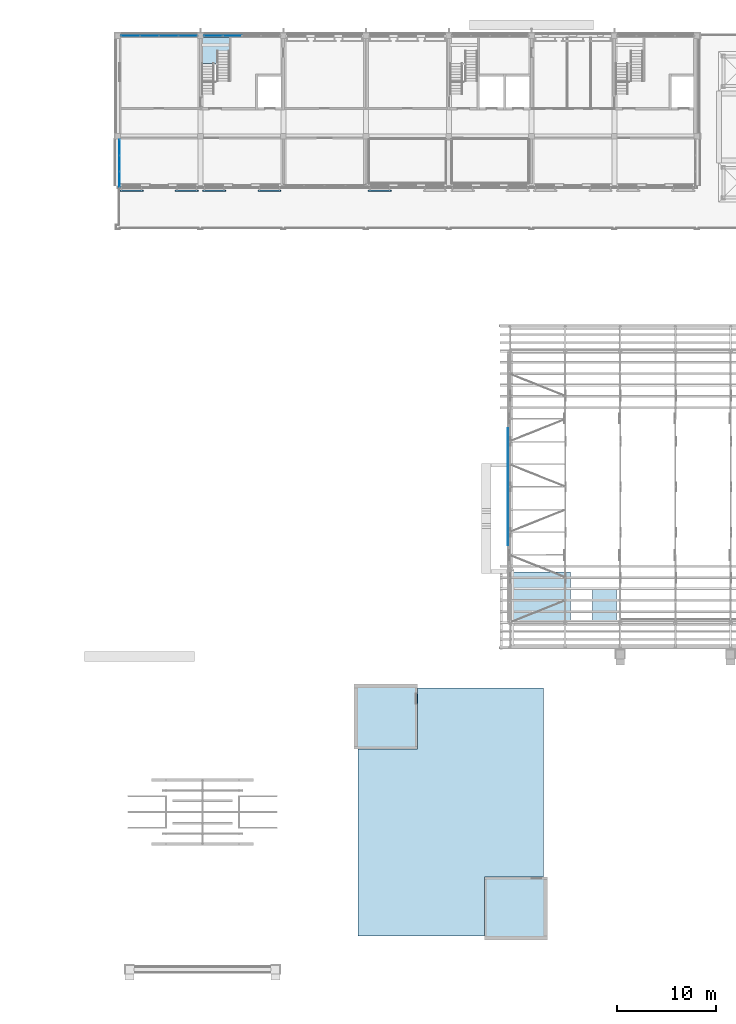
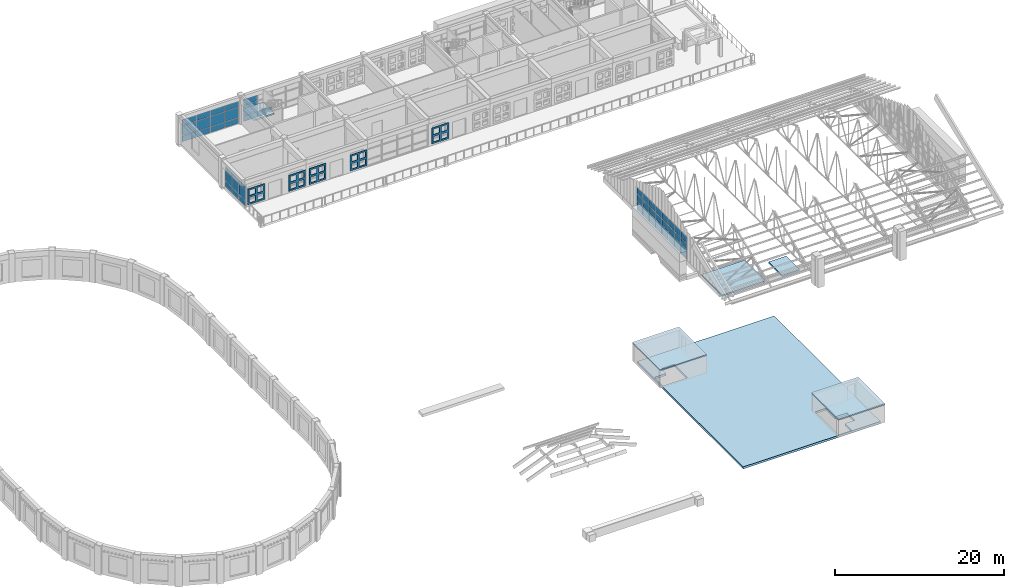
# One storey, part 35 of 71: 54 plates, 6 slabs, 5 elements without a shape of their own.
"""IFC4 building model written with IfcOpenShell, lengths in metres."""

import ifcopenshell
import ifcopenshell.guid

model = None  # the IFC model being written
_history = None  # IfcOwnerHistory: only IFC2X3 demands one
_inside = {}  # id of a spatial element -> (the spatial element, [elements in it])
_under = {}  # id of a project, library or spatial element -> (it, [spatial elements below it])
_declared = {}  # id of a project -> (the project, [libraries it declares])
_typed = {}  # id of a type object -> (the type object, [elements of that type])
_made_of = {}  # id of a material, layer set ... -> (it, [elements and type objects made of it])


def new_model(schema):
    """Start an empty IFC model of exactly this schema.

    Asked for "IFC4X3", IfcOpenShell would pick the latest addendum, in which some entities
    have other attributes; the version numbers below select the first issue.
    IFC2X3 requires an IfcOwnerHistory on every rooted entity: one is made here for all.
    """
    global model, _history
    if schema == "IFC4X3":
        model = ifcopenshell.file(schema_version=(4, 3, 0, 0))
    else:
        model = ifcopenshell.file(schema=schema)
    _inside.clear()
    _under.clear()
    _declared.clear()
    _typed.clear()
    _made_of.clear()
    _history = None
    if model.schema == "IFC2X3":
        org = make("IfcOrganization", Name="unknown")
        user = make(
            "IfcPersonAndOrganization",
            ThePerson=make("IfcPerson", FamilyName="unknown"),
            TheOrganization=org,
        )
        app = make(
            "IfcApplication",
            ApplicationDeveloper=org,
            Version="unknown",
            ApplicationFullName="unknown",
            ApplicationIdentifier="unknown",
        )
        _history = make(
            "IfcOwnerHistory",
            OwningUser=user,
            OwningApplication=app,
            ChangeAction="ADDED",
            CreationDate=0,
        )
    return model


def make(cls, **values):
    """One entity of the class cls with the attributes given. An attribute that is None is left unset."""
    return model.create_entity(
        cls, **{name: value for name, value in values.items() if value is not None}
    )


def rooted(cls, **values):
    """An entity with a GlobalId (a new one), such as an element, a storey or a relation."""
    return make(cls, GlobalId=ifcopenshell.guid.new(), OwnerHistory=_history, **values)


def si_unit(unit_type, name, prefix=None):
    """IfcSIUnit, for example si_unit("LENGTHUNIT", "METRE", prefix="MILLI")."""
    return make("IfcSIUnit", UnitType=unit_type, Prefix=prefix, Name=name)


def assignment(units):
    """IfcUnitAssignment: the units of a project."""
    return None if units is None else make("IfcUnitAssignment", Units=units)


def point(xyz):
    """IfcCartesianPoint."""
    return None if xyz is None else make("IfcCartesianPoint", Coordinates=xyz)


def direction(xyz):
    """IfcDirection."""
    return None if xyz is None else make("IfcDirection", DirectionRatios=xyz)


def frame(location, z_axis=None, x_axis=None):
    """IfcAxis2Placement3D, a coordinate frame: its origin and axes. An axis left out is left unset."""
    return make(
        "IfcAxis2Placement3D",
        Location=point(location),
        Axis=direction(z_axis),
        RefDirection=direction(x_axis),
    )


def frame_2d(location, x_axis=None):
    """IfcAxis2Placement2D, a coordinate frame in the plane: its origin and x axis."""
    return make(
        "IfcAxis2Placement2D", Location=point(location), RefDirection=direction(x_axis)
    )


def origin():
    """The frame at (0, 0, 0) with its axes left unset."""
    return frame((0.0, 0.0, 0.0))


def origin_2d():
    """The frame at (0, 0) in the plane with its x axis left unset."""
    return frame_2d((0.0, 0.0))


def place(relative_to, where):
    """IfcLocalPlacement: puts the frame where relative to a parent placement (None: the world)."""
    return make(
        "IfcLocalPlacement", PlacementRelTo=relative_to, RelativePlacement=where
    )


def context(
    kind, dimensions, precision=None, world=None, true_north=None, identifier=None
):
    """IfcGeometricRepresentationContext, for example the 3D "Model" context."""
    return make(
        "IfcGeometricRepresentationContext",
        ContextIdentifier=identifier,
        ContextType=kind,
        CoordinateSpaceDimension=dimensions,
        Precision=precision,
        WorldCoordinateSystem=world,
        TrueNorth=true_north,
    )


def subcontext(parent, identifier, kind, view, scale=None):
    """IfcGeometricRepresentationSubContext, for example "Body" below "Model"."""
    return make(
        "IfcGeometricRepresentationSubContext",
        ContextIdentifier=identifier,
        ContextType=kind,
        ParentContext=parent,
        TargetScale=scale,
        TargetView=view,
    )


def project(units=None, contexts=None):
    """IfcProject with its units and contexts."""
    return rooted(
        "IfcProject",
        Name="project",
        RepresentationContexts=contexts,
        UnitsInContext=assignment(units),
    )


def spatial(cls, under=None, at=None, **own):
    """A site, building, storey or space (cls), placed at a placement, below another one or the project."""
    s = rooted(cls, ObjectPlacement=at, **own)
    if under is not None:
        _under.setdefault(under.id(), (under, []))[1].append(s)
    return s


def polyline(points):
    """IfcPolyline through the points."""
    return make("IfcPolyline", Points=[point(p) for p in points])


def profile(cls, at=None, kind="AREA", **sizes):
    """A parametric profile (cls). Its sizes go by their IFC names, for example OverallWidth=200.0."""
    return make(cls, ProfileType=kind, Position=at, **sizes)


def rectangle(**sizes):
    """IfcRectangleProfileDef."""
    return profile("IfcRectangleProfileDef", **sizes)


def outline(outer, holes=None, kind="AREA"):
    """IfcArbitraryClosedProfileDef: a profile drawn as a closed curve; with holes, ...WithVoids."""
    if holes is None:
        return make("IfcArbitraryClosedProfileDef", ProfileType=kind, OuterCurve=outer)
    return make(
        "IfcArbitraryProfileDefWithVoids",
        ProfileType=kind,
        OuterCurve=outer,
        InnerCurves=holes,
    )


def extrude(swept, where, along, depth):
    """IfcExtrudedAreaSolid: the profile swept, set in the frame where, extruded along a direction by depth."""
    return make(
        "IfcExtrudedAreaSolid",
        SweptArea=swept,
        Position=where,
        ExtrudedDirection=direction(along),
        Depth=depth,
    )


def shape(context_of_items, identifier, shape_type, items):
    """IfcShapeRepresentation: the items that make up one representation, for example the "Body"."""
    return make(
        "IfcShapeRepresentation",
        ContextOfItems=context_of_items,
        RepresentationIdentifier=identifier,
        RepresentationType=shape_type,
        Items=items,
    )


def material(Name=None, Category=None):
    """IfcMaterial."""
    return make("IfcMaterial", Name=Name, Category=Category)


def layer(
    of_material, thickness, ventilated=None, Name=None, Category=None, Priority=None
):
    """IfcMaterialLayer: one layer of a wall or slab, of a material (None: an air gap)."""
    return make(
        "IfcMaterialLayer",
        Material=of_material,
        LayerThickness=thickness,
        IsVentilated=ventilated,
        Name=Name,
        Category=Category,
        Priority=Priority,
    )


def layer_set(layers, Name=None):
    """IfcMaterialLayerSet."""
    return make("IfcMaterialLayerSet", MaterialLayers=layers, LayerSetName=Name)


def material_profile(
    of_material, cross_section, Name=None, Category=None, Priority=None
):
    """IfcMaterialProfile: a cross section and its material."""
    return make(
        "IfcMaterialProfile",
        Name=Name,
        Material=of_material,
        Profile=cross_section,
        Priority=Priority,
        Category=Category,
    )


def profile_set(profiles, Name=None, composite=None):
    """IfcMaterialProfileSet."""
    return make(
        "IfcMaterialProfileSet",
        Name=Name,
        MaterialProfiles=profiles,
        CompositeProfile=composite,
    )


def made_of(thing, what):
    """Note that an element or type object is made of a material, layer set ...; save() writes the relation."""
    if what is not None:
        _made_of.setdefault(what.id(), (what, []))[1].append(thing)
    return thing


def type_object(cls, material=None, **own):
    """A type object (cls), such as IfcWallType, which elements share."""
    return made_of(rooted(cls, **own), material)


def element(
    cls,
    number,
    at=None,
    inside=None,
    cuts=None,
    type_object=None,
    material=None,
    context=None,
    identifier="Body",
    shape_type=None,
    held_by="IfcProductDefinitionShape",
    body=None,
    shapes=None,
    **own,
):
    """One element of the class cls, such as IfcWall. Its Tag is "e" and its number.

    at: its placement. inside: the storey or other place that contains it. cuts: it is an
    opening in that element (IfcRelVoidsElement). A single representation is given by context,
    identifier, shape_type and body (its items); several are given by shapes. held_by: the class
    of the entity that holds the representations. save() writes the other relations.
    """
    e = rooted(cls, Tag="e%d" % number, ObjectPlacement=at, **own)
    if body is not None:
        shapes = [shape(context, identifier, shape_type, body)]
    if shapes is not None:
        e.Representation = make(held_by, Representations=shapes)
    if inside is not None:
        _inside.setdefault(inside.id(), (inside, []))[1].append(e)
    if cuts is not None:
        rooted(
            "IfcRelVoidsElement", RelatingBuildingElement=cuts, RelatedOpeningElement=e
        )
    if type_object is not None:
        _typed.setdefault(type_object.id(), (type_object, []))[1].append(e)
    return made_of(e, material)


def aggregate(whole, parts):
    """IfcRelAggregates: a whole, such as a stair, and the parts it consists of."""
    return rooted("IfcRelAggregates", RelatingObject=whole, RelatedObjects=parts)


def save(model, path):
    """Write the relations noted so far, then the file.

    IfcRelAggregates (storeys below a building ...), IfcRelContainedInSpatialStructure (elements
    in a storey), IfcRelDefinesByType, IfcRelAssociatesMaterial and IfcRelDeclares: one each for
    every whole, place, type object, material and project.
    """
    for whole, parts in _under.values():
        aggregate(whole, parts)
    for where, things in _inside.values():
        rooted(
            "IfcRelContainedInSpatialStructure",
            RelatedElements=things,
            RelatingStructure=where,
        )
    for kind, things in _typed.values():
        rooted("IfcRelDefinesByType", RelatedObjects=things, RelatingType=kind)
    for what, things in _made_of.values():
        rooted("IfcRelAssociatesMaterial", RelatedObjects=things, RelatingMaterial=what)
    for by, libraries in _declared.values():
        rooted("IfcRelDeclares", RelatingContext=by, RelatedDefinitions=libraries)
    model.write(path)


model = new_model("IFC4")

# Units and contexts
model_context = context("Model", 3, precision=1e-05, world=origin(), true_north=direction((0.0, 1.0)))
body_context = subcontext(model_context, "Body", "Model", "MODEL_VIEW")
ifc_project = project(units=[si_unit("LENGTHUNIT", "METRE"), si_unit("AREAUNIT", "SQUARE_METRE"), si_unit("VOLUMEUNIT", "CUBIC_METRE"), si_unit("PLANEANGLEUNIT", "RADIAN"), si_unit("MASSUNIT", "GRAM", prefix="KILO")], contexts=[model_context])

# Site, building, storey
site_placement = place(None, origin())
site = spatial("IfcSite", under=ifc_project, at=site_placement, CompositionType="ELEMENT")
building_placement = place(site_placement, origin())
building = spatial("IfcBuilding", under=site, at=building_placement, Name="Wasatch Bagh Community Centre", CompositionType="ELEMENT")
storey_placement = place(building_placement, frame((0.0, 0.0, 12.60009765625)))
storey = spatial("IfcBuildingStorey", under=building, at=storey_placement, Name="L03", CompositionType="ELEMENT", Elevation=12.60009765625)

# Slabs
ifc_material_1 = material(Name="Concrete C35", Category="concrete")
ifc_layer_1 = layer(ifc_material_1, 0.159912109375)
ifc_layer_set_1 = layer_set([ifc_layer_1], Name="Concrete C35")
slab_type_1 = type_object("IfcSlabType", Name="KW head house roof slab 160", PredefinedType="ROOF", material=ifc_layer_set_1)
slab_1_placement = place(storey_placement, frame((0.0, 0.0, 2.5)))
element("IfcSlab", 1, at=slab_1_placement, inside=storey, type_object=slab_type_1, Name="KW.slab.head.ST4", PredefinedType="ROOF", context=body_context, shape_type="SweptSolid", body=[
    extrude(outline(polyline([(96.39990234375, 25.39990234375), (102.800048828125, 25.39990234375), (102.800048828125, 32.0), (96.39990234375, 32.0), (96.39990234375, 25.39990234375)])), origin(), (0.0, 0.0, 1.0), 0.159912109375),
])
slab_2_placement = place(storey_placement, frame((0.0, 0.0, 2.5)))
element("IfcSlab", 2, at=slab_2_placement, inside=storey, type_object=slab_type_1, Name="KW.slab.head.ST5", PredefinedType="ROOF", context=body_context, shape_type="SweptSolid", body=[
    extrude(outline(polyline([(109.60009765625, 6.0), (116.0, 6.0), (116.0, 12.39990234375), (109.60009765625, 12.39990234375), (109.60009765625, 6.0)])), origin(), (0.0, 0.0, 1.0), 0.159912109375),
])
ifc_layer_2 = layer(ifc_material_1, 0.300048828125)
ifc_layer_set_2 = layer_set([ifc_layer_2], Name="Concrete C35")
slab_type_2 = type_object("IfcSlabType", Name="KW roof garden slab 300", PredefinedType="ROOF", material=ifc_layer_set_2)
slab_3_placement = place(storey_placement, frame((0.0, 0.0, -0.300048828125)))
element("IfcSlab", 3, at=slab_3_placement, inside=storey, type_object=slab_type_2, Name="KW.slab.L02.roofgarden", PredefinedType="ROOF", context=body_context, shape_type="SweptSolid", body=[
    extrude(outline(polyline([(96.800048828125, 6.39990234375), (115.60009765625, 6.39990234375), (115.60009765625, 31.60009765625), (96.800048828125, 31.60009765625), (96.800048828125, 6.39990234375)]), holes=[polyline([(96.949951171875, 27.68798828125), (96.949951171875, 25.699951171875), (100.300048828125, 25.699951171875), (100.300048828125, 28.860107421875), (98.550048828125, 28.860107421875), (98.550048828125, 27.68798828125), (96.949951171875, 27.68798828125)]), polyline([(111.738037109375, 6.550048828125), (109.89990234375, 6.550048828125), (109.89990234375, 12.0), (111.3701171875, 12.0), (111.3701171875, 9.89990234375), (113.06005859375, 9.89990234375), (113.06005859375, 8.14990234375), (111.738037109375, 8.14990234375), (111.738037109375, 6.550048828125)])]), origin(), (0.0, 0.0, 1.0), 0.300048828125),
])

# Curtain wall, plates
ifc_material_2 = material(Name="Aluminium curtain wall frame with low-iron glass", Category="aluminium")
ifc_layer_3 = layer(ifc_material_2, 0.10009765625)
ifc_layer_set_3 = layer_set([ifc_layer_3], Name="Aluminium curtain wall frame with low-iron glass")
curtain_wall_type_1 = type_object("IfcCurtainWallType", Name="LW curtain wall 100", PredefinedType="NOTDEFINED", material=ifc_layer_set_3)
curtain_wall_1_placement = place(storey_placement, origin())
curtain_wall_1 = element("IfcCurtainWall", 4, at=curtain_wall_1_placement, inside=storey, type_object=curtain_wall_type_1, Name="Curtain wall 03.03", PredefinedType="NOTDEFINED")
ifc_material_3 = material(Name="Low-iron insulated glass", Category="glass")
ifc_layer_4 = layer(ifc_material_3, 0.028076171875)
ifc_layer_set_4 = layer_set([ifc_layer_4], Name="Low-iron insulated glass")
plate_type_1 = type_object("IfcPlateType", Name="LW curtain wall panel 28", PredefinedType="CURTAIN_PANEL", material=ifc_layer_set_4)
plate_1_placement = place(storey_placement, frame((82.090087890625, 97.800048828125, 0.059814453125), z_axis=(0.0, 0.0, 1.0), x_axis=(1.0, 0.0, 0.0)))
plate_1 = element("IfcPlate", 5, at=plate_1_placement, type_object=plate_type_1, Name="LW-CW1 panel 1.1", PredefinedType="CURTAIN_PANEL", context=body_context, shape_type="SweptSolid", body=[
    extrude(rectangle(XDim=1.860107421875, YDim=0.028076171875, at=origin_2d()), origin(), (0.0, 0.0, 1.0), 0.81005859375),
])
plate_2_placement = place(storey_placement, frame((82.090087890625, 97.800048828125, 0.929931640625), z_axis=(0.0, 0.0, 1.0), x_axis=(1.0, 0.0, 0.0)))
plate_2 = element("IfcPlate", 6, at=plate_2_placement, type_object=plate_type_1, Name="LW-CW1 panel 1.2", PredefinedType="CURTAIN_PANEL", context=body_context, shape_type="SweptSolid", body=[
    extrude(rectangle(XDim=1.860107421875, YDim=0.028076171875, at=origin_2d()), origin(), (0.0, 0.0, 1.0), 1.43994140625),
])
plate_3_placement = place(storey_placement, frame((82.090087890625, 97.800048828125, 2.429931640625), z_axis=(0.0, 0.0, 1.0), x_axis=(1.0, 0.0, 0.0)))
plate_3 = element("IfcPlate", 7, at=plate_3_placement, type_object=plate_type_1, Name="LW-CW1 panel 1.3", PredefinedType="CURTAIN_PANEL", context=body_context, shape_type="SweptSolid", body=[
    extrude(rectangle(XDim=1.860107421875, YDim=0.028076171875, at=origin_2d()), origin(), (0.0, 0.0, 1.0), 0.830078125),
])
plate_4_placement = place(storey_placement, frame((84.02490234375, 97.800048828125, 0.059814453125), z_axis=(0.0, 0.0, 1.0), x_axis=(1.0, 0.0, 0.0)))
plate_4 = element("IfcPlate", 8, at=plate_4_placement, type_object=plate_type_1, Name="LW-CW1 panel 2.1", PredefinedType="CURTAIN_PANEL", context=body_context, shape_type="SweptSolid", body=[
    extrude(rectangle(XDim=1.889892578125, YDim=0.028076171875, at=origin_2d()), origin(), (0.0, 0.0, 1.0), 0.81005859375),
])
aggregate(curtain_wall_1, [plate_1, plate_2, plate_3, plate_4])

ifc_layer_5 = layer(ifc_material_2, 0.1201171875)
ifc_layer_set_5 = layer_set([ifc_layer_5], Name="Aluminium curtain wall frame with low-iron glass")
curtain_wall_type_2 = type_object("IfcCurtainWallType", Name="LW study front curtain wall 120", PredefinedType="NOTDEFINED", material=ifc_layer_set_5)
curtain_wall_2_placement = place(storey_placement, origin())
curtain_wall_2 = element("IfcCurtainWall", 9, at=curtain_wall_2_placement, inside=storey, type_object=curtain_wall_type_2, Name="Curtain wall 03.02", PredefinedType="NOTDEFINED")
ifc_layer_6 = layer(ifc_material_3, 0.028076171875)
ifc_layer_set_6 = layer_set([ifc_layer_6], Name="Low-iron insulated glass")
plate_type_2 = type_object("IfcPlateType", Name="LW curtain wall panel 28 LW-CW2", PredefinedType="CURTAIN_PANEL", material=ifc_layer_set_6)
plate_5_placement = place(storey_placement, frame((73.68994140625, 97.800048828125, 0.059814453125), z_axis=(0.0, 0.0, 1.0), x_axis=(1.0, 0.0, 0.0)))
plate_5 = element("IfcPlate", 10, at=plate_5_placement, type_object=plate_type_2, Name="LW-CW2 panel 1.1", PredefinedType="CURTAIN_PANEL", context=body_context, shape_type="SweptSolid", body=[
    extrude(rectangle(XDim=1.860107421875, YDim=0.028076171875, at=origin_2d()), origin(), (0.0, 0.0, 1.0), 0.81005859375),
])
plate_6_placement = place(storey_placement, frame((73.68994140625, 97.800048828125, 0.929931640625), z_axis=(0.0, 0.0, 1.0), x_axis=(1.0, 0.0, 0.0)))
plate_6 = element("IfcPlate", 11, at=plate_6_placement, type_object=plate_type_2, Name="LW-CW2 panel 1.2", PredefinedType="CURTAIN_PANEL", context=body_context, shape_type="SweptSolid", body=[
    extrude(rectangle(XDim=1.860107421875, YDim=0.028076171875, at=origin_2d()), origin(), (0.0, 0.0, 1.0), 1.43994140625),
])
plate_7_placement = place(storey_placement, frame((73.68994140625, 97.800048828125, 2.429931640625), z_axis=(0.0, 0.0, 1.0), x_axis=(1.0, 0.0, 0.0)))
plate_7 = element("IfcPlate", 12, at=plate_7_placement, type_object=plate_type_2, Name="LW-CW2 panel 1.3", PredefinedType="CURTAIN_PANEL", context=body_context, shape_type="SweptSolid", body=[
    extrude(rectangle(XDim=1.860107421875, YDim=0.028076171875, at=origin_2d()), origin(), (0.0, 0.0, 1.0), 0.830078125),
])
plate_8_placement = place(storey_placement, frame((75.625, 97.800048828125, 0.059814453125), z_axis=(0.0, 0.0, 1.0), x_axis=(1.0, 0.0, 0.0)))
plate_8 = element("IfcPlate", 13, at=plate_8_placement, type_object=plate_type_2, Name="LW-CW2 panel 2.1", PredefinedType="CURTAIN_PANEL", context=body_context, shape_type="SweptSolid", body=[
    extrude(rectangle(XDim=1.889892578125, YDim=0.028076171875, at=origin_2d()), origin(), (0.0, 0.0, 1.0), 0.81005859375),
])
plate_9_placement = place(storey_placement, frame((75.625, 97.800048828125, 0.929931640625), z_axis=(0.0, 0.0, 1.0), x_axis=(1.0, 0.0, 0.0)))
plate_9 = element("IfcPlate", 14, at=plate_9_placement, type_object=plate_type_2, Name="LW-CW2 panel 2.2", PredefinedType="CURTAIN_PANEL", context=body_context, shape_type="SweptSolid", body=[
    extrude(rectangle(XDim=1.889892578125, YDim=0.028076171875, at=origin_2d()), origin(), (0.0, 0.0, 1.0), 1.43994140625),
])
plate_10_placement = place(storey_placement, frame((75.625, 97.800048828125, 2.429931640625), z_axis=(0.0, 0.0, 1.0), x_axis=(1.0, 0.0, 0.0)))
plate_10 = element("IfcPlate", 15, at=plate_10_placement, type_object=plate_type_2, Name="LW-CW2 panel 2.3", PredefinedType="CURTAIN_PANEL", context=body_context, shape_type="SweptSolid", body=[
    extrude(rectangle(XDim=1.889892578125, YDim=0.028076171875, at=origin_2d()), origin(), (0.0, 0.0, 1.0), 0.830078125),
])
plate_11_placement = place(storey_placement, frame((77.574951171875, 97.800048828125, 0.059814453125), z_axis=(0.0, 0.0, 1.0), x_axis=(1.0, 0.0, 0.0)))
plate_11 = element("IfcPlate", 16, at=plate_11_placement, type_object=plate_type_2, Name="LW-CW2 panel 3.1", PredefinedType="CURTAIN_PANEL", context=body_context, shape_type="SweptSolid", body=[
    extrude(rectangle(XDim=1.889892578125, YDim=0.028076171875, at=origin_2d()), origin(), (0.0, 0.0, 1.0), 0.81005859375),
])
plate_12_placement = place(storey_placement, frame((77.574951171875, 97.800048828125, 0.929931640625), z_axis=(0.0, 0.0, 1.0), x_axis=(1.0, 0.0, 0.0)))
plate_12 = element("IfcPlate", 17, at=plate_12_placement, type_object=plate_type_2, Name="LW-CW2 panel 3.2", PredefinedType="CURTAIN_PANEL", context=body_context, shape_type="SweptSolid", body=[
    extrude(rectangle(XDim=1.889892578125, YDim=0.028076171875, at=origin_2d()), origin(), (0.0, 0.0, 1.0), 1.43994140625),
])
plate_13_placement = place(storey_placement, frame((77.574951171875, 97.800048828125, 2.429931640625), z_axis=(0.0, 0.0, 1.0), x_axis=(1.0, 0.0, 0.0)))
plate_13 = element("IfcPlate", 18, at=plate_13_placement, type_object=plate_type_2, Name="LW-CW2 panel 3.3", PredefinedType="CURTAIN_PANEL", context=body_context, shape_type="SweptSolid", body=[
    extrude(rectangle(XDim=1.889892578125, YDim=0.028076171875, at=origin_2d()), origin(), (0.0, 0.0, 1.0), 0.830078125),
])
plate_14_placement = place(storey_placement, frame((79.510009765625, 97.800048828125, 0.059814453125), z_axis=(0.0, 0.0, 1.0), x_axis=(1.0, 0.0, 0.0)))
plate_14 = element("IfcPlate", 19, at=plate_14_placement, type_object=plate_type_2, Name="LW-CW2 panel 4.1", PredefinedType="CURTAIN_PANEL", context=body_context, shape_type="SweptSolid", body=[
    extrude(rectangle(XDim=1.860107421875, YDim=0.028076171875, at=origin_2d()), origin(), (0.0, 0.0, 1.0), 0.81005859375),
])
plate_15_placement = place(storey_placement, frame((79.510009765625, 97.800048828125, 0.929931640625), z_axis=(0.0, 0.0, 1.0), x_axis=(1.0, 0.0, 0.0)))
plate_15 = element("IfcPlate", 20, at=plate_15_placement, type_object=plate_type_2, Name="LW-CW2 panel 4.2", PredefinedType="CURTAIN_PANEL", context=body_context, shape_type="SweptSolid", body=[
    extrude(rectangle(XDim=1.860107421875, YDim=0.028076171875, at=origin_2d()), origin(), (0.0, 0.0, 1.0), 1.43994140625),
])
plate_16_placement = place(storey_placement, frame((79.510009765625, 97.800048828125, 2.429931640625), z_axis=(0.0, 0.0, 1.0), x_axis=(1.0, 0.0, 0.0)))
plate_16 = element("IfcPlate", 21, at=plate_16_placement, type_object=plate_type_2, Name="LW-CW2 panel 4.3", PredefinedType="CURTAIN_PANEL", context=body_context, shape_type="SweptSolid", body=[
    extrude(rectangle(XDim=1.860107421875, YDim=0.028076171875, at=origin_2d()), origin(), (0.0, 0.0, 1.0), 0.830078125),
])
aggregate(curtain_wall_2, [plate_5, plate_6, plate_7, plate_8, plate_9, plate_10, plate_11, plate_12, plate_13, plate_14, plate_15, plate_16])

ifc_layer_7 = layer(ifc_material_2, 0.159912109375)
ifc_layer_set_7 = layer_set([ifc_layer_7], Name="Aluminium curtain wall frame with low-iron glass")
curtain_wall_type_3 = type_object("IfcCurtainWallType", Name="LW gable curtain wall 160", PredefinedType="NOTDEFINED", material=ifc_layer_set_7)
curtain_wall_3_placement = place(storey_placement, origin())
curtain_wall_3 = element("IfcCurtainWall", 22, at=curtain_wall_3_placement, inside=storey, type_object=curtain_wall_type_3, Name="Curtain wall 03.06", PredefinedType="NOTDEFINED")
ifc_layer_8 = layer(ifc_material_3, 0.028076171875)
ifc_layer_set_8 = layer_set([ifc_layer_8], Name="Low-iron insulated glass")
plate_type_3 = type_object("IfcPlateType", Name="LW curtain wall panel 28 LW-CW4", PredefinedType="CURTAIN_PANEL", material=ifc_layer_set_8)
plate_17_placement = place(storey_placement, frame((72.574951171875, 83.231689453125, 0.059814453125), z_axis=(0.0, 0.0, 1.0), x_axis=(0.0, 1.0, 0.0)))
plate_17 = element("IfcPlate", 23, at=plate_17_placement, type_object=plate_type_3, Name="LW-CW4 panel 1.1", PredefinedType="CURTAIN_PANEL", context=body_context, shape_type="SweptSolid", body=[
    extrude(rectangle(XDim=1.543212890625, YDim=0.028076171875, at=origin_2d()), origin(), (0.0, 0.0, 1.0), 0.81005859375),
])
plate_18_placement = place(storey_placement, frame((72.574951171875, 83.231689453125, 0.929931640625), z_axis=(0.0, 0.0, 1.0), x_axis=(0.0, 1.0, 0.0)))
plate_18 = element("IfcPlate", 24, at=plate_18_placement, type_object=plate_type_3, Name="LW-CW4 panel 1.2", PredefinedType="CURTAIN_PANEL", context=body_context, shape_type="SweptSolid", body=[
    extrude(rectangle(XDim=1.543212890625, YDim=0.028076171875, at=origin_2d()), origin(), (0.0, 0.0, 1.0), 1.43994140625),
])
plate_19_placement = place(storey_placement, frame((72.574951171875, 83.231689453125, 2.4296875), z_axis=(0.0, 0.0, 1.0), x_axis=(0.0, 1.0, 0.0)))
plate_19 = element("IfcPlate", 25, at=plate_19_placement, type_object=plate_type_3, Name="LW-CW4 panel 1.3", PredefinedType="CURTAIN_PANEL", context=body_context, shape_type="SweptSolid", body=[
    extrude(rectangle(XDim=1.543212890625, YDim=0.028076171875, at=origin_2d()), origin(), (0.0, 0.0, 1.0), 0.530029296875),
])
plate_20_placement = place(storey_placement, frame((72.574951171875, 84.85009765625, 0.059814453125), z_axis=(0.0, 0.0, 1.0), x_axis=(0.0, 1.0, 0.0)))
plate_20 = element("IfcPlate", 26, at=plate_20_placement, type_object=plate_type_3, Name="LW-CW4 panel 2.1", PredefinedType="CURTAIN_PANEL", context=body_context, shape_type="SweptSolid", body=[
    extrude(rectangle(XDim=1.5732421875, YDim=0.028076171875, at=origin_2d()), origin(), (0.0, 0.0, 1.0), 0.81005859375),
])
plate_21_placement = place(storey_placement, frame((72.574951171875, 84.85009765625, 0.929931640625), z_axis=(0.0, 0.0, 1.0), x_axis=(0.0, 1.0, 0.0)))
plate_21 = element("IfcPlate", 27, at=plate_21_placement, type_object=plate_type_3, Name="LW-CW4 panel 2.2", PredefinedType="CURTAIN_PANEL", context=body_context, shape_type="SweptSolid", body=[
    extrude(rectangle(XDim=1.5732421875, YDim=0.028076171875, at=origin_2d()), origin(), (0.0, 0.0, 1.0), 1.43994140625),
])
plate_22_placement = place(storey_placement, frame((72.574951171875, 84.85009765625, 2.4296875), z_axis=(0.0, 0.0, 1.0), x_axis=(0.0, 1.0, 0.0)))
plate_22 = element("IfcPlate", 28, at=plate_22_placement, type_object=plate_type_3, Name="LW-CW4 panel 2.3", PredefinedType="CURTAIN_PANEL", context=body_context, shape_type="SweptSolid", body=[
    extrude(rectangle(XDim=1.5732421875, YDim=0.028076171875, at=origin_2d()), origin(), (0.0, 0.0, 1.0), 0.530029296875),
])
plate_23_placement = place(storey_placement, frame((72.574951171875, 86.46826171875, 0.059814453125), z_axis=(0.0, 0.0, 1.0), x_axis=(0.0, 1.0, 0.0)))
plate_23 = element("IfcPlate", 29, at=plate_23_placement, type_object=plate_type_3, Name="LW-CW4 panel 3.1", PredefinedType="CURTAIN_PANEL", context=body_context, shape_type="SweptSolid", body=[
    extrude(rectangle(XDim=1.543212890625, YDim=0.028076171875, at=origin_2d()), origin(), (0.0, 0.0, 1.0), 0.81005859375),
])
plate_24_placement = place(storey_placement, frame((72.574951171875, 86.46826171875, 0.929931640625), z_axis=(0.0, 0.0, 1.0), x_axis=(0.0, 1.0, 0.0)))
plate_24 = element("IfcPlate", 30, at=plate_24_placement, type_object=plate_type_3, Name="LW-CW4 panel 3.2", PredefinedType="CURTAIN_PANEL", context=body_context, shape_type="SweptSolid", body=[
    extrude(rectangle(XDim=1.543212890625, YDim=0.028076171875, at=origin_2d()), origin(), (0.0, 0.0, 1.0), 1.43994140625),
])
plate_25_placement = place(storey_placement, frame((72.574951171875, 86.46826171875, 2.4296875), z_axis=(0.0, 0.0, 1.0), x_axis=(0.0, 1.0, 0.0)))
plate_25 = element("IfcPlate", 31, at=plate_25_placement, type_object=plate_type_3, Name="LW-CW4 panel 3.3", PredefinedType="CURTAIN_PANEL", context=body_context, shape_type="SweptSolid", body=[
    extrude(rectangle(XDim=1.543212890625, YDim=0.028076171875, at=origin_2d()), origin(), (0.0, 0.0, 1.0), 0.530029296875),
])
aggregate(curtain_wall_3, [plate_17, plate_18, plate_19, plate_20, plate_21, plate_22, plate_23, plate_24, plate_25])

# Plates
ifc_material_4 = material(Name="Precast concrete C40/50", Category="concrete")
ifc_material_profile = material_profile(ifc_material_4, outline(polyline([(-1.159912109375, -1.159912109375), (1.159912109375, -1.159912109375), (1.159912109375, 1.159912109375), (-1.159912109375, 1.159912109375), (-1.159912109375, -1.159912109375)]), holes=[polyline([(-0.919921875, -0.919921875), (-0.14990234375, -0.919921875), (-0.14990234375, -0.14990234375), (-0.919921875, -0.14990234375), (-0.919921875, -0.919921875)]), polyline([(-0.919921875, 0.14990234375), (-0.14990234375, 0.14990234375), (-0.14990234375, 0.919921875), (-0.919921875, 0.919921875), (-0.919921875, 0.14990234375)]), polyline([(0.14990234375, -0.919921875), (0.919921875, -0.919921875), (0.919921875, -0.14990234375), (0.14990234375, -0.14990234375), (0.14990234375, -0.919921875)]), polyline([(0.14990234375, 0.14990234375), (0.919921875, 0.14990234375), (0.919921875, 0.919921875), (0.14990234375, 0.919921875), (0.14990234375, 0.14990234375)])]), Name="Jali lattice")
ifc_profile_set = profile_set([ifc_material_profile], Name="Precast concrete C40/50")
plate_type_4 = type_object("IfcPlateType", Name="LW jali panel 2320x2320", PredefinedType="SHEET", material=ifc_profile_set)
for number, where, z_axis, x_axis, name in (
    (32, (73.800048828125, 82.10009765625, 1.659912109375), (0.0, -1.0, 0.0), (1.0, 0.0, 0.0), "Jali panel"),
    (33, (79.39990234375, 82.10009765625, 1.659912109375), (0.0, -1.0, 0.0), (1.0, 0.0, 0.0), "Jali panel"),
    (34, (82.199951171875, 82.10009765625, 1.659912109375), (0.0, -1.0, 0.0), (1.0, 0.0, 0.0), "Jali panel"),
    (35, (87.800048828125, 82.10009765625, 1.659912109375), (0.0, -1.0, 0.0), (1.0, 0.0, 0.0), "Jali panel"),
    (36, (99.0, 82.10009765625, 1.659912109375), (0.0, -1.0, 0.0), (1.0, 0.0, 0.0), "Jali panel"),
):
    element("IfcPlate", number, at=place(storey_placement, frame(where, z_axis=z_axis, x_axis=x_axis)), inside=storey, type_object=plate_type_4, Name=name, PredefinedType="SHEET", context=body_context, shape_type="SweptSolid", body=[
        extrude(outline(polyline([(-1.159912109375, -1.159912109375), (1.159912109375, -1.159912109375), (1.159912109375, 1.159912109375), (-1.159912109375, 1.159912109375), (-1.159912109375, -1.159912109375)]), holes=[polyline([(-0.919921875, -0.919921875), (-0.14990234375, -0.919921875), (-0.14990234375, -0.14990234375), (-0.919921875, -0.14990234375), (-0.919921875, -0.919921875)]), polyline([(-0.919921875, 0.14990234375), (-0.14990234375, 0.14990234375), (-0.14990234375, 0.919921875), (-0.919921875, 0.919921875), (-0.919921875, 0.14990234375)]), polyline([(0.14990234375, -0.919921875), (0.919921875, -0.919921875), (0.919921875, -0.14990234375), (0.14990234375, -0.14990234375), (0.14990234375, -0.919921875)]), polyline([(0.14990234375, 0.14990234375), (0.919921875, 0.14990234375), (0.919921875, 0.919921875), (0.14990234375, 0.919921875), (0.14990234375, 0.14990234375)])]), origin(), (0.0, 0.0, 1.0), 0.070068359375),
    ])

# Stair, slab
stair_type = type_object("IfcStairType", Name="LW core stair", PredefinedType="HALF_TURN_STAIR", material=ifc_material_1)
stair_placement = place(storey_placement, origin())
stair = element("IfcStair", 37, at=stair_placement, inside=storey, type_object=stair_type, Name="Stair Stair and Lift C1", PredefinedType="HALF_TURN_STAIR")
ifc_layer_9 = layer(ifc_material_1, 0.199951171875)
ifc_layer_set_9 = layer_set([ifc_layer_9], Name="Concrete C35")
slab_type_3 = type_object("IfcSlabType", Name="LW stair landing 200", PredefinedType="LANDING", material=ifc_layer_set_9)
slab_4_placement = place(storey_placement, frame((0.0, 0.0, 1.89990234375)))
slab_4 = element("IfcSlab", 38, at=slab_4_placement, type_object=slab_type_3, Name="ST-C1-3 landing 1", PredefinedType="LANDING", context=body_context, shape_type="SweptSolid", body=[
    extrude(outline(polyline([(80.925048828125, 94.9599609375), (83.735107421875, 94.9599609375), (83.735107421875, 97.60009765625), (80.925048828125, 97.60009765625), (80.925048828125, 94.9599609375)])), origin(), (0.0, 0.0, 1.0), 0.199951171875),
])
aggregate(stair, [slab_4])

# Slabs
ifc_layer_10 = layer(ifc_material_1, 0.18994140625)
ifc_layer_set_10 = layer_set([ifc_layer_10], Name="Concrete C35")
slab_type_4 = type_object("IfcSlabType", Name="SH core roof slab 190", PredefinedType="ROOF", material=ifc_layer_set_10)
slab_5_placement = place(storey_placement, frame((0.0, 0.0, -0.190185546875)))
element("IfcSlab", 39, at=slab_5_placement, inside=storey, type_object=slab_type_4, Name="SH.slab.L02.cap.ST1", PredefinedType="ROOF", context=body_context, shape_type="SweptSolid", body=[
    extrude(outline(polyline([(112.39990234375, 38.39990234375), (118.35009765625, 38.39990234375), (118.35009765625, 43.35009765625), (112.39990234375, 43.35009765625), (112.39990234375, 38.39990234375)])), origin(), (0.0, 0.0, 1.0), 0.190185546875),
])
slab_6_placement = place(storey_placement, frame((0.0, 0.0, -0.190185546875)))
element("IfcSlab", 40, at=slab_6_placement, inside=storey, type_object=slab_type_4, Name="SH.slab.L02.cap.LF1", PredefinedType="ROOF", context=body_context, shape_type="SweptSolid", body=[
    extrude(outline(polyline([(120.60009765625, 38.39990234375), (123.0, 38.39990234375), (123.0, 41.60009765625), (120.60009765625, 41.60009765625), (120.60009765625, 38.39990234375)])), origin(), (0.0, 0.0, 1.0), 0.190185546875),
])

# Curtain wall, plates
ifc_material_5 = material(Name="Aluminium alloy 6063-T6", Category="aluminium")
ifc_layer_11 = layer(ifc_material_5, 0.10009765625)
ifc_layer_set_11 = layer_set([ifc_layer_11], Name="Aluminium alloy 6063-T6")
curtain_wall_type_4 = type_object("IfcCurtainWallType", Name="SH-CW2", PredefinedType="NOTDEFINED", material=ifc_layer_set_11)
curtain_wall_4_placement = place(storey_placement, origin())
curtain_wall_4 = element("IfcCurtainWall", 41, at=curtain_wall_4_placement, inside=storey, type_object=curtain_wall_type_4, Name="Curtain wall SH-CW2", PredefinedType="NOTDEFINED")
ifc_material_6 = material(Name="Cellulose fibre cement jali screen")
ifc_layer_12 = layer(ifc_material_6, 0.028076171875)
ifc_layer_set_12 = layer_set([ifc_layer_12], Name="Cellulose fibre cement jali screen")
plate_type_5 = type_object("IfcPlateType", Name="SH-CW2 panel", PredefinedType="CURTAIN_PANEL", material=ifc_layer_set_12)
plate_26_placement = place(storey_placement, frame((112.0, 46.764892578125, 0.659912109375), z_axis=(0.0, 0.0, 1.0), x_axis=(0.0, 1.0, 0.0)))
plate_26 = element("IfcPlate", 42, at=plate_26_placement, type_object=plate_type_5, Name="SH-CW2 panel 1.1", PredefinedType="CURTAIN_PANEL", context=body_context, shape_type="SweptSolid", body=[
    extrude(rectangle(XDim=1.409912109375, YDim=0.028076171875, at=origin_2d()), origin(), (0.0, 0.0, 1.0), 1.31005859375),
])
plate_27_placement = place(storey_placement, frame((112.0, 46.764892578125, 2.030029296875), z_axis=(0.0, 0.0, 1.0), x_axis=(0.0, 1.0, 0.0)))
plate_27 = element("IfcPlate", 43, at=plate_27_placement, type_object=plate_type_5, Name="SH-CW2 panel 1.2", PredefinedType="CURTAIN_PANEL", context=body_context, shape_type="SweptSolid", body=[
    extrude(rectangle(XDim=1.409912109375, YDim=0.028076171875, at=origin_2d()), origin(), (0.0, 0.0, 1.0), 0.93994140625),
])
plate_28_placement = place(storey_placement, frame((112.0, 46.764892578125, 3.02978515625), z_axis=(0.0, 0.0, 1.0), x_axis=(0.0, 1.0, 0.0)))
plate_28 = element("IfcPlate", 44, at=plate_28_placement, type_object=plate_type_5, Name="SH-CW2 panel 1.3", PredefinedType="CURTAIN_PANEL", context=body_context, shape_type="SweptSolid", body=[
    extrude(rectangle(XDim=1.409912109375, YDim=0.028076171875, at=origin_2d()), origin(), (0.0, 0.0, 1.0), 0.909912109375),
])
plate_29_placement = place(storey_placement, frame((112.0, 48.25, 0.659912109375), z_axis=(0.0, 0.0, 1.0), x_axis=(0.0, 1.0, 0.0)))
plate_29 = element("IfcPlate", 45, at=plate_29_placement, type_object=plate_type_5, Name="SH-CW2 panel 2.1", PredefinedType="CURTAIN_PANEL", context=body_context, shape_type="SweptSolid", body=[
    extrude(rectangle(XDim=1.43994140625, YDim=0.028076171875, at=origin_2d()), origin(), (0.0, 0.0, 1.0), 1.31005859375),
])
plate_30_placement = place(storey_placement, frame((112.0, 48.25, 2.030029296875), z_axis=(0.0, 0.0, 1.0), x_axis=(0.0, 1.0, 0.0)))
plate_30 = element("IfcPlate", 46, at=plate_30_placement, type_object=plate_type_5, Name="SH-CW2 panel 2.2", PredefinedType="CURTAIN_PANEL", context=body_context, shape_type="SweptSolid", body=[
    extrude(rectangle(XDim=1.43994140625, YDim=0.028076171875, at=origin_2d()), origin(), (0.0, 0.0, 1.0), 0.93994140625),
])
plate_31_placement = place(storey_placement, frame((112.0, 48.25, 3.02978515625), z_axis=(0.0, 0.0, 1.0), x_axis=(0.0, 1.0, 0.0)))
plate_31 = element("IfcPlate", 47, at=plate_31_placement, type_object=plate_type_5, Name="SH-CW2 panel 2.3", PredefinedType="CURTAIN_PANEL", context=body_context, shape_type="SweptSolid", body=[
    extrude(rectangle(XDim=1.43994140625, YDim=0.028076171875, at=origin_2d()), origin(), (0.0, 0.0, 1.0), 0.909912109375),
])
plate_32_placement = place(storey_placement, frame((112.0, 49.75, 0.659912109375), z_axis=(0.0, 0.0, 1.0), x_axis=(0.0, 1.0, 0.0)))
plate_32 = element("IfcPlate", 48, at=plate_32_placement, type_object=plate_type_5, Name="SH-CW2 panel 3.1", PredefinedType="CURTAIN_PANEL", context=body_context, shape_type="SweptSolid", body=[
    extrude(rectangle(XDim=1.43994140625, YDim=0.028076171875, at=origin_2d()), origin(), (0.0, 0.0, 1.0), 1.31005859375),
])
plate_33_placement = place(storey_placement, frame((112.0, 49.75, 2.030029296875), z_axis=(0.0, 0.0, 1.0), x_axis=(0.0, 1.0, 0.0)))
plate_33 = element("IfcPlate", 49, at=plate_33_placement, type_object=plate_type_5, Name="SH-CW2 panel 3.2", PredefinedType="CURTAIN_PANEL", context=body_context, shape_type="SweptSolid", body=[
    extrude(rectangle(XDim=1.43994140625, YDim=0.028076171875, at=origin_2d()), origin(), (0.0, 0.0, 1.0), 0.93994140625),
])
plate_34_placement = place(storey_placement, frame((112.0, 49.75, 3.02978515625), z_axis=(0.0, 0.0, 1.0), x_axis=(0.0, 1.0, 0.0)))
plate_34 = element("IfcPlate", 50, at=plate_34_placement, type_object=plate_type_5, Name="SH-CW2 panel 3.3", PredefinedType="CURTAIN_PANEL", context=body_context, shape_type="SweptSolid", body=[
    extrude(rectangle(XDim=1.43994140625, YDim=0.028076171875, at=origin_2d()), origin(), (0.0, 0.0, 1.0), 0.909912109375),
])
plate_35_placement = place(storey_placement, frame((112.0, 51.25, 0.659912109375), z_axis=(0.0, 0.0, 1.0), x_axis=(0.0, 1.0, 0.0)))
plate_35 = element("IfcPlate", 51, at=plate_35_placement, type_object=plate_type_5, Name="SH-CW2 panel 4.1", PredefinedType="CURTAIN_PANEL", context=body_context, shape_type="SweptSolid", body=[
    extrude(rectangle(XDim=1.43994140625, YDim=0.028076171875, at=origin_2d()), origin(), (0.0, 0.0, 1.0), 1.31005859375),
])
plate_36_placement = place(storey_placement, frame((112.0, 51.25, 2.030029296875), z_axis=(0.0, 0.0, 1.0), x_axis=(0.0, 1.0, 0.0)))
plate_36 = element("IfcPlate", 52, at=plate_36_placement, type_object=plate_type_5, Name="SH-CW2 panel 4.2", PredefinedType="CURTAIN_PANEL", context=body_context, shape_type="SweptSolid", body=[
    extrude(rectangle(XDim=1.43994140625, YDim=0.028076171875, at=origin_2d()), origin(), (0.0, 0.0, 1.0), 0.93994140625),
])
plate_37_placement = place(storey_placement, frame((112.0, 51.25, 3.02978515625), z_axis=(0.0, 0.0, 1.0), x_axis=(0.0, 1.0, 0.0)))
plate_37 = element("IfcPlate", 53, at=plate_37_placement, type_object=plate_type_5, Name="SH-CW2 panel 4.3", PredefinedType="CURTAIN_PANEL", context=body_context, shape_type="SweptSolid", body=[
    extrude(rectangle(XDim=1.43994140625, YDim=0.028076171875, at=origin_2d()), origin(), (0.0, 0.0, 1.0), 0.909912109375),
])
plate_38_placement = place(storey_placement, frame((112.0, 52.75, 0.659912109375), z_axis=(0.0, 0.0, 1.0), x_axis=(0.0, 1.0, 0.0)))
plate_38 = element("IfcPlate", 54, at=plate_38_placement, type_object=plate_type_5, Name="SH-CW2 panel 5.1", PredefinedType="CURTAIN_PANEL", context=body_context, shape_type="SweptSolid", body=[
    extrude(rectangle(XDim=1.43994140625, YDim=0.028076171875, at=origin_2d()), origin(), (0.0, 0.0, 1.0), 1.31005859375),
])
plate_39_placement = place(storey_placement, frame((112.0, 52.75, 2.030029296875), z_axis=(0.0, 0.0, 1.0), x_axis=(0.0, 1.0, 0.0)))
plate_39 = element("IfcPlate", 55, at=plate_39_placement, type_object=plate_type_5, Name="SH-CW2 panel 5.2", PredefinedType="CURTAIN_PANEL", context=body_context, shape_type="SweptSolid", body=[
    extrude(rectangle(XDim=1.43994140625, YDim=0.028076171875, at=origin_2d()), origin(), (0.0, 0.0, 1.0), 0.93994140625),
])
plate_40_placement = place(storey_placement, frame((112.0, 52.75, 3.02978515625), z_axis=(0.0, 0.0, 1.0), x_axis=(0.0, 1.0, 0.0)))
plate_40 = element("IfcPlate", 56, at=plate_40_placement, type_object=plate_type_5, Name="SH-CW2 panel 5.3", PredefinedType="CURTAIN_PANEL", context=body_context, shape_type="SweptSolid", body=[
    extrude(rectangle(XDim=1.43994140625, YDim=0.028076171875, at=origin_2d()), origin(), (0.0, 0.0, 1.0), 0.909912109375),
])
plate_41_placement = place(storey_placement, frame((112.0, 54.25, 0.659912109375), z_axis=(0.0, 0.0, 1.0), x_axis=(0.0, 1.0, 0.0)))
plate_41 = element("IfcPlate", 57, at=plate_41_placement, type_object=plate_type_5, Name="SH-CW2 panel 6.1", PredefinedType="CURTAIN_PANEL", context=body_context, shape_type="SweptSolid", body=[
    extrude(rectangle(XDim=1.43994140625, YDim=0.028076171875, at=origin_2d()), origin(), (0.0, 0.0, 1.0), 1.31005859375),
])
plate_42_placement = place(storey_placement, frame((112.0, 54.25, 2.030029296875), z_axis=(0.0, 0.0, 1.0), x_axis=(0.0, 1.0, 0.0)))
plate_42 = element("IfcPlate", 58, at=plate_42_placement, type_object=plate_type_5, Name="SH-CW2 panel 6.2", PredefinedType="CURTAIN_PANEL", context=body_context, shape_type="SweptSolid", body=[
    extrude(rectangle(XDim=1.43994140625, YDim=0.028076171875, at=origin_2d()), origin(), (0.0, 0.0, 1.0), 0.93994140625),
])
plate_43_placement = place(storey_placement, frame((112.0, 54.25, 3.02978515625), z_axis=(0.0, 0.0, 1.0), x_axis=(0.0, 1.0, 0.0)))
plate_43 = element("IfcPlate", 59, at=plate_43_placement, type_object=plate_type_5, Name="SH-CW2 panel 6.3", PredefinedType="CURTAIN_PANEL", context=body_context, shape_type="SweptSolid", body=[
    extrude(rectangle(XDim=1.43994140625, YDim=0.028076171875, at=origin_2d()), origin(), (0.0, 0.0, 1.0), 0.909912109375),
])
plate_44_placement = place(storey_placement, frame((112.0, 55.75, 0.659912109375), z_axis=(0.0, 0.0, 1.0), x_axis=(0.0, 1.0, 0.0)))
plate_44 = element("IfcPlate", 60, at=plate_44_placement, type_object=plate_type_5, Name="SH-CW2 panel 7.1", PredefinedType="CURTAIN_PANEL", context=body_context, shape_type="SweptSolid", body=[
    extrude(rectangle(XDim=1.43994140625, YDim=0.028076171875, at=origin_2d()), origin(), (0.0, 0.0, 1.0), 1.31005859375),
])
plate_45_placement = place(storey_placement, frame((112.0, 55.75, 2.030029296875), z_axis=(0.0, 0.0, 1.0), x_axis=(0.0, 1.0, 0.0)))
plate_45 = element("IfcPlate", 61, at=plate_45_placement, type_object=plate_type_5, Name="SH-CW2 panel 7.2", PredefinedType="CURTAIN_PANEL", context=body_context, shape_type="SweptSolid", body=[
    extrude(rectangle(XDim=1.43994140625, YDim=0.028076171875, at=origin_2d()), origin(), (0.0, 0.0, 1.0), 0.93994140625),
])
plate_46_placement = place(storey_placement, frame((112.0, 55.75, 3.02978515625), z_axis=(0.0, 0.0, 1.0), x_axis=(0.0, 1.0, 0.0)))
plate_46 = element("IfcPlate", 62, at=plate_46_placement, type_object=plate_type_5, Name="SH-CW2 panel 7.3", PredefinedType="CURTAIN_PANEL", context=body_context, shape_type="SweptSolid", body=[
    extrude(rectangle(XDim=1.43994140625, YDim=0.028076171875, at=origin_2d()), origin(), (0.0, 0.0, 1.0), 0.909912109375),
])
plate_47_placement = place(storey_placement, frame((112.0, 57.235107421875, 0.659912109375), z_axis=(0.0, 0.0, 1.0), x_axis=(0.0, 1.0, 0.0)))
plate_47 = element("IfcPlate", 63, at=plate_47_placement, type_object=plate_type_5, Name="SH-CW2 panel 8.1", PredefinedType="CURTAIN_PANEL", context=body_context, shape_type="SweptSolid", body=[
    extrude(rectangle(XDim=1.409912109375, YDim=0.028076171875, at=origin_2d()), origin(), (0.0, 0.0, 1.0), 1.31005859375),
])
plate_48_placement = place(storey_placement, frame((112.0, 57.235107421875, 2.030029296875), z_axis=(0.0, 0.0, 1.0), x_axis=(0.0, 1.0, 0.0)))
plate_48 = element("IfcPlate", 64, at=plate_48_placement, type_object=plate_type_5, Name="SH-CW2 panel 8.2", PredefinedType="CURTAIN_PANEL", context=body_context, shape_type="SweptSolid", body=[
    extrude(rectangle(XDim=1.409912109375, YDim=0.028076171875, at=origin_2d()), origin(), (0.0, 0.0, 1.0), 0.93994140625),
])
plate_49_placement = place(storey_placement, frame((112.0, 57.235107421875, 3.02978515625), z_axis=(0.0, 0.0, 1.0), x_axis=(0.0, 1.0, 0.0)))
plate_49 = element("IfcPlate", 65, at=plate_49_placement, type_object=plate_type_5, Name="SH-CW2 panel 8.3", PredefinedType="CURTAIN_PANEL", context=body_context, shape_type="SweptSolid", body=[
    extrude(rectangle(XDim=1.409912109375, YDim=0.028076171875, at=origin_2d()), origin(), (0.0, 0.0, 1.0), 0.909912109375),
])
aggregate(curtain_wall_4, [plate_26, plate_27, plate_28, plate_29, plate_30, plate_31, plate_32, plate_33, plate_34, plate_35, plate_36, plate_37, plate_38, plate_39, plate_40, plate_41, plate_42, plate_43, plate_44, plate_45, plate_46, plate_47, plate_48, plate_49])

save(model, "model.ifc")
